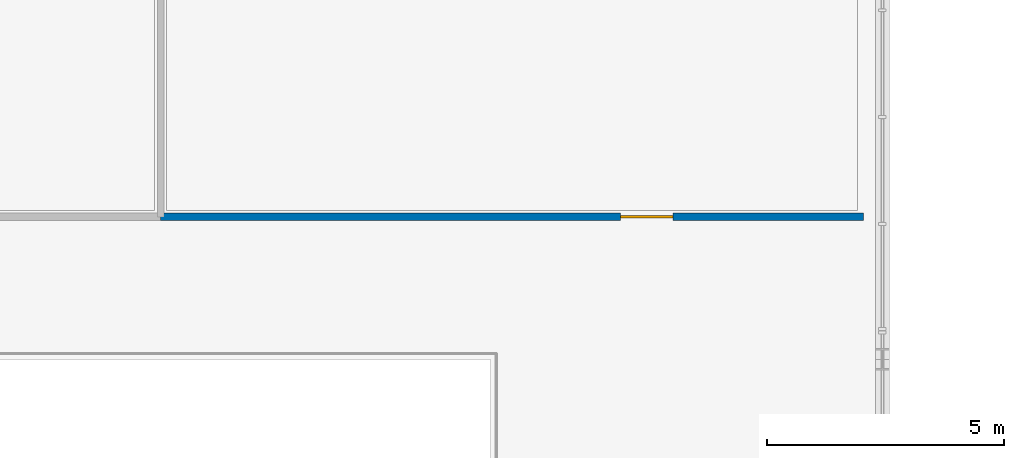
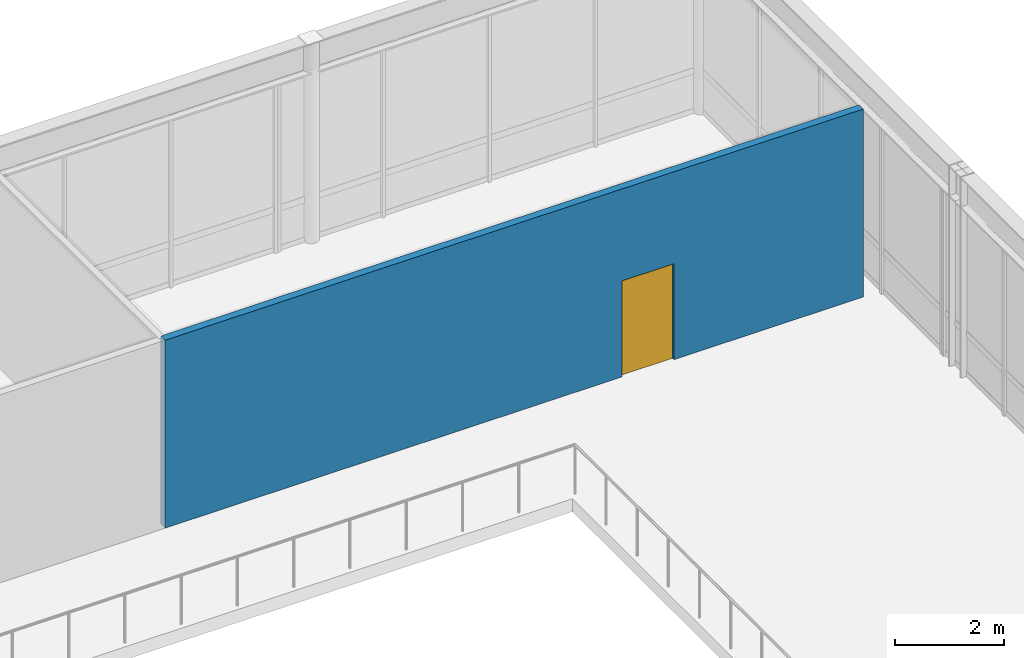
# One storey, part 48 of 64: 1 door, 1 wall, 1 opening.
"""IFC4 building model written with IfcOpenShell, lengths in metres."""

from ifc_helpers import new_model, si_unit, direction, frame, frame_2d, origin, place, context, subcontext, project, spatial, rectangle, extrude, material, layer, layer_set, type_object, element, fill, save


model = new_model("IFC4")

# Units and contexts
model_context = context("Model", 3, precision=1e-05, world=origin(), true_north=direction((0.0, 1.0)))
body_context = subcontext(model_context, "Body", "Model", "MODEL_VIEW")
ifc_project = project(units=[si_unit("LENGTHUNIT", "METRE"), si_unit("AREAUNIT", "SQUARE_METRE"), si_unit("VOLUMEUNIT", "CUBIC_METRE"), si_unit("PLANEANGLEUNIT", "RADIAN"), si_unit("MASSUNIT", "GRAM", prefix="KILO")], contexts=[model_context])

# Site, building, storey
site_placement = place(None, origin())
site = spatial("IfcSite", under=ifc_project, at=site_placement, CompositionType="ELEMENT")
building_placement = place(site_placement, origin())
building = spatial("IfcBuilding", under=site, at=building_placement, Name="Montealbar Specialist Clinic", CompositionType="ELEMENT")
storey_placement = place(building_placement, frame((0.0, 0.0, 5.10009765625)))
storey = spatial("IfcBuildingStorey", under=building, at=storey_placement, Name="L01", CompositionType="ELEMENT", Elevation=5.10009765625)

# Wall, opening, door
ifc_material_1 = material(Name="Gypsum acoustic partition", Category="gypsum")
ifc_layer = layer(ifc_material_1, 0.159912109375, Name="Gypsum acoustic partition", Category="gypsum")
ifc_layer_set = layer_set([ifc_layer], Name="Gypsum acoustic partition")
wall_type = type_object("IfcWallType", Name="WL-PART-CLINIC-160", PredefinedType="PARTITIONING", material=ifc_layer_set)
wall_placement = place(storey_placement, frame((83.800048828125, 74.39990234375, 0.0), z_axis=(0.0, 0.0, 1.0), x_axis=(1.0, 0.0, 0.0)))
wall = element("IfcWall", 1, at=wall_placement, inside=storey, type_object=wall_type, Name="Clinical Partition PART-L01-0118", PredefinedType="PARTITIONING", context=body_context, shape_type="SweptSolid", body=[
    extrude(rectangle(XDim=14.800048828125, YDim=0.159912109375, at=frame_2d((7.39990234375, 0.0))), origin(), (0.0, 0.0, 1.0), 4.2099609375),
])
opening_placement = place(wall_placement, frame((9.68798828125, 0.0, 0.0)))
opening = element("IfcOpeningElement", 2, at=opening_placement, cuts=wall, Name="Opening ID-110", PredefinedType="OPENING", context=body_context, shape_type="SweptSolid", body=[
    extrude(rectangle(XDim=1.10009765625, YDim=2.14990234375, at=frame_2d((0.550048828125, 1.074951171875))), frame((0.0, 0.08984375, 0.0), z_axis=(0.0, -1.0, 0.0), x_axis=(1.0, 0.0, 0.0)), (0.0, 0.0, 1.0), 0.179931640625),
])
ifc_material_2 = material(Name="Acoustic timber leaf", Category="wood")
door_type = type_object("IfcDoorType", Name="DR-CLIN-W1100", OperationType="NOTDEFINED", PredefinedType="DOOR", material=ifc_material_2)
door_placement = place(opening_placement, frame((1.10009765625, 0.0, 0.0), z_axis=(0.0, 0.0, 1.0), x_axis=(-1.0, 0.0, 0.0)))
door = element("IfcDoor", 3, at=door_placement, inside=storey, type_object=door_type, Name="Clinical Room Door IDR-L01-0077", OperationType="SINGLE_SWING_RIGHT", OverallHeight=2.14990234375, OverallWidth=1.10009765625, PredefinedType="DOOR", context=body_context, shape_type="SweptSolid", body=[
    extrude(rectangle(XDim=1.10009765625, YDim=2.14990234375, at=frame_2d((0.550048828125, 1.074951171875))), frame((0.0, 0.02490234375, 0.0), z_axis=(0.0, -1.0, 0.0), x_axis=(1.0, 0.0, 0.0)), (0.0, 0.0, 1.0), 0.050048828125),
])
fill(opening, door)

save(model, "model.ifc")
